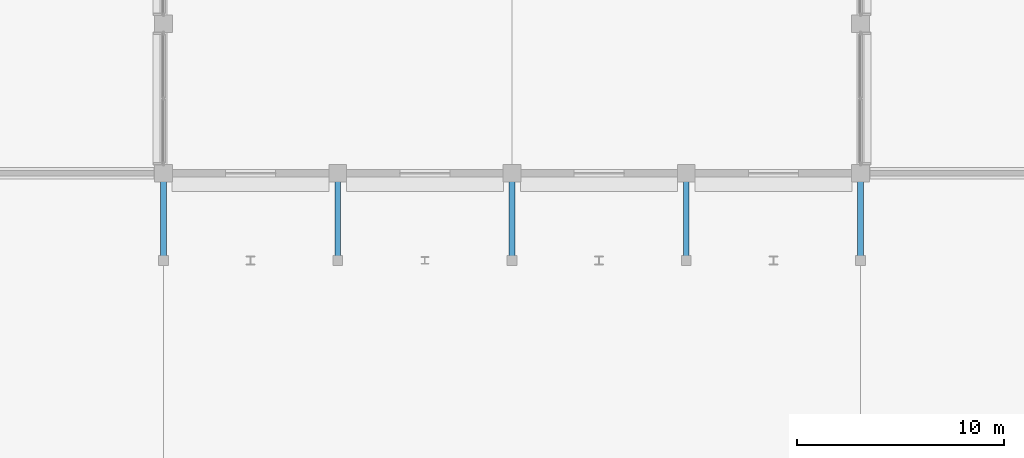
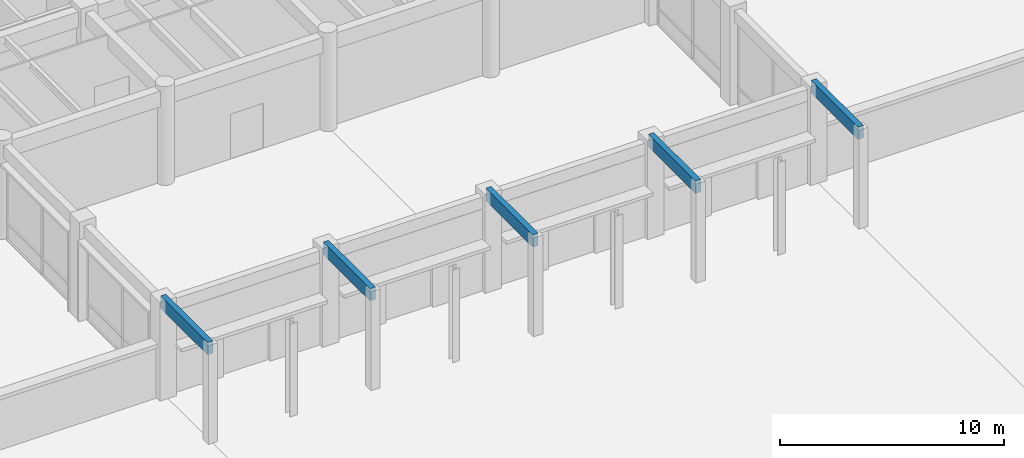
# One storey, part 11 of 73: 5 beams.
"""IFC4 building model written with IfcOpenShell, lengths in metres."""

from ifc_helpers import new_model, si_unit, direction, frame, origin, origin_2d, place, context, subcontext, project, spatial, rectangle, extrude, material, material_profile, profile_set, type_object, element, save


model = new_model("IFC4")

# Units and contexts
model_context = context("Model", 3, precision=1e-05, world=origin(), true_north=direction((0.0, 1.0)))
body_context = subcontext(model_context, "Body", "Model", "MODEL_VIEW")
ifc_project = project(units=[si_unit("LENGTHUNIT", "METRE"), si_unit("AREAUNIT", "SQUARE_METRE"), si_unit("VOLUMEUNIT", "CUBIC_METRE"), si_unit("PLANEANGLEUNIT", "RADIAN"), si_unit("MASSUNIT", "GRAM", prefix="KILO")], contexts=[model_context])

# Site, building, storey
site_placement = place(None, origin())
site = spatial("IfcSite", under=ifc_project, at=site_placement, CompositionType="ELEMENT")
building_placement = place(site_placement, origin())
building = spatial("IfcBuilding", under=site, at=building_placement, Name="Chengyuan Square Courthouse", CompositionType="ELEMENT")
storey_placement = place(building_placement, origin())
storey = spatial("IfcBuildingStorey", under=building, at=storey_placement, Name="L01", CompositionType="ELEMENT", Elevation=0.0)

# Beams
ifc_material = material(Name="Glulam TCt28", Category="wood")
ifc_material_profile = material_profile(ifc_material, rectangle(XDim=0.280029296875, YDim=0.679931640625, at=origin_2d()), Name="GL-BM-280x680")
ifc_profile_set = profile_set([ifc_material_profile], Name="Glulam TCt28")
beam_type = type_object("IfcBeamType", Name="GLB-01", PredefinedType="BEAM", material=ifc_profile_set)
for number, where, z_axis, x_axis, name in (
    (1, (67.199951171875, 64.800048828125, 5.06005859375), (0.0, -1.0, 0.0), (1.0, 0.0, 0.0), "Glulam Colonnade Portal Beam GLB-L01-021"),
    (2, (75.60009765625, 64.800048828125, 5.06005859375), (0.0, -1.0, 0.0), (1.0, 0.0, 0.0), "Glulam Colonnade Portal Beam GLB-L01-022"),
    (3, (84.0, 64.800048828125, 5.06005859375), (0.0, -1.0, 0.0), (1.0, 0.0, 0.0), "Glulam Colonnade Portal Beam GLB-L01-023"),
    (4, (92.39990234375, 64.800048828125, 5.06005859375), (0.0, -1.0, 0.0), (1.0, 0.0, 0.0), "Glulam Colonnade Portal Beam GLB-L01-024"),
    (5, (100.800048828125, 64.800048828125, 5.06005859375), (0.0, -1.0, 0.0), (1.0, 0.0, 0.0), "Glulam Colonnade Portal Beam GLB-L01-025"),
):
    element("IfcBeam", number, at=place(storey_placement, frame(where, z_axis=z_axis, x_axis=x_axis)), inside=storey, type_object=beam_type, Name=name, PredefinedType="BEAM", context=body_context, shape_type="SweptSolid", body=[
        extrude(rectangle(XDim=0.280029296875, YDim=0.679931640625, at=origin_2d()), origin(), (0.0, 0.0, 1.0), 4.199951171875),
    ])

save(model, "model.ifc")
